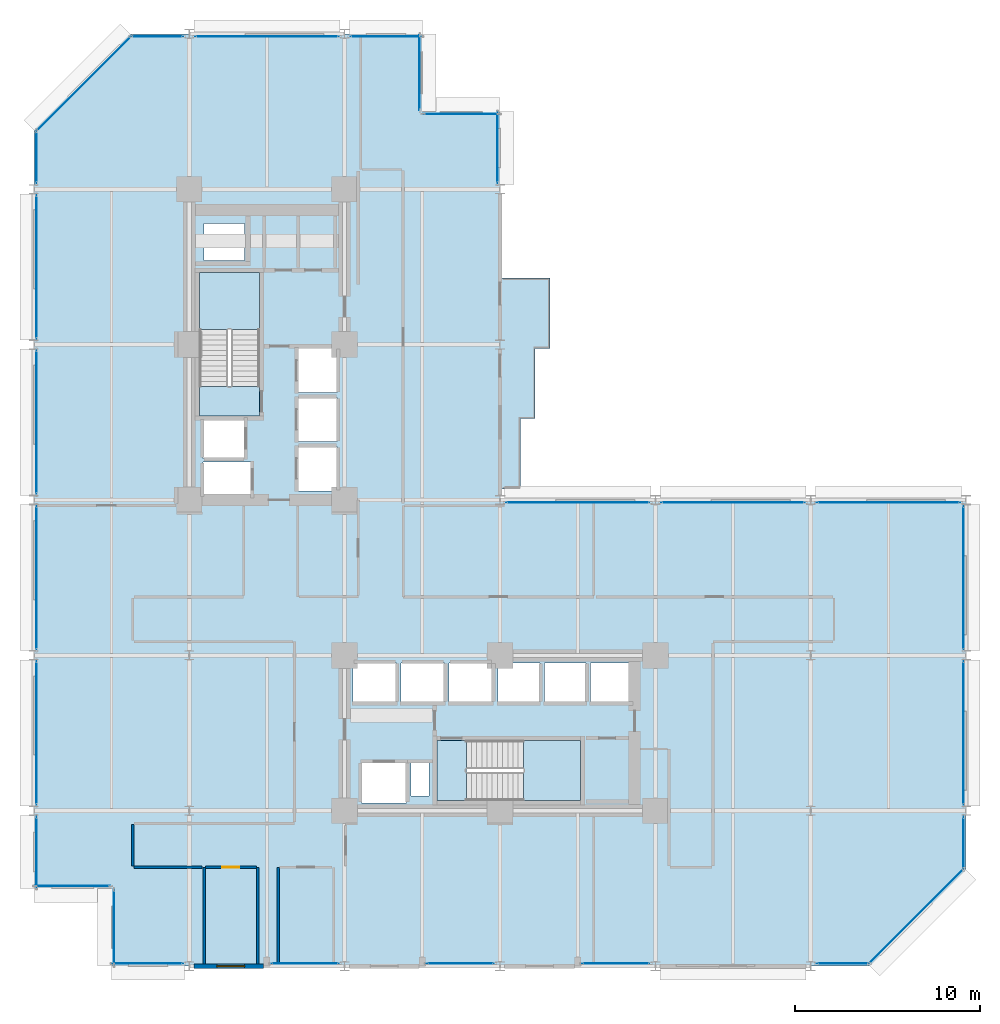
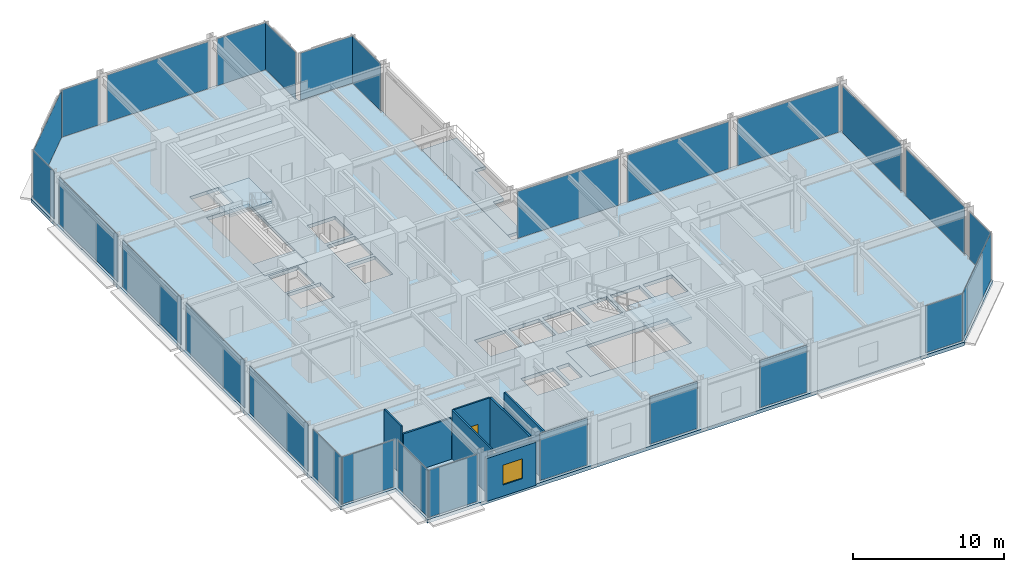
# One storey, part 19 of 25: 27 plates, 7 walls, 6 slabs, 1 door, 1 window, 2 openings, 29 elements without a shape of their own.
"""IFC4 building model written with IfcOpenShell, lengths in metres."""

from ifc_helpers import new_model, si_unit, direction, frame, frame_2d, origin, origin_2d, place, context, subcontext, project, spatial, polyline, rectangle, outline, extrude, material, layer, layer_set, type_object, element, fill, aggregate, save


model = new_model("IFC4")

# Units and contexts
model_context = context("Model", 3, precision=1e-05, world=origin(), true_north=direction((0.0, 1.0)))
body_context = subcontext(model_context, "Body", "Model", "MODEL_VIEW")
ifc_project = project(units=[si_unit("LENGTHUNIT", "METRE"), si_unit("AREAUNIT", "SQUARE_METRE"), si_unit("VOLUMEUNIT", "CUBIC_METRE"), si_unit("PLANEANGLEUNIT", "RADIAN"), si_unit("MASSUNIT", "GRAM", prefix="KILO")], contexts=[model_context])

# Site, building, storey
site_placement = place(None, origin())
site = spatial("IfcSite", under=ifc_project, at=site_placement, CompositionType="ELEMENT")
building_placement = place(site_placement, origin())
building = spatial("IfcBuilding", under=site, at=building_placement, Name="Nerrivon Quay Data Exchange", CompositionType="ELEMENT")
storey_placement = place(building_placement, frame((0.0, 0.0, 41.60009765625)))
storey = spatial("IfcBuildingStorey", under=building, at=storey_placement, Name="L09", CompositionType="ELEMENT", Elevation=41.60009765625)

# Curtain wall, plate
ifc_material_1 = material(Name="Anodised aluminium 6063-T6", Category="aluminium")
ifc_layer_1 = layer(ifc_material_1, 0.219970703125)
ifc_layer_set_1 = layer_set([ifc_layer_1], Name="Anodised aluminium 6063-T6")
curtain_wall_type = type_object("IfcCurtainWallType", Name="CW-SYS-01", PredefinedType="NOTDEFINED", material=ifc_layer_set_1)
curtain_wall_1_placement = place(storey_placement, origin())
curtain_wall_1 = element("IfcCurtainWall", 1, at=curtain_wall_1_placement, inside=storey, type_object=curtain_wall_type, Name="L09 Unitised Curtain Wall 1", PredefinedType="NOTDEFINED")
ifc_material_2 = material(Name="Double-glazed low-E solar control glass", Category="glass")
ifc_layer_2 = layer(ifc_material_2, 0.028076171875)
ifc_layer_set_2 = layer_set([ifc_layer_2], Name="Double-glazed low-E solar control glass")
plate_type = type_object("IfcPlateType", Name="CWP-GLZ-28", PredefinedType="CURTAIN_PANEL", material=ifc_layer_set_2)
plate_1_placement = place(storey_placement, frame((47.700927734375, 2.698974609375, 0.06494140625), z_axis=(0.0, 0.0, 1.0), x_axis=(-0.707106781187, -0.707106781187, 0.0)))
plate_1 = element("IfcPlate", 2, at=plate_1_placement, type_object=plate_type, Name="CW01 panel 1.1", PredefinedType="CURTAIN_PANEL", context=body_context, shape_type="SweptSolid", body=[
    extrude(rectangle(XDim=7.203857421875, YDim=0.028076171875, at=origin_2d()), origin(), (0.0, 0.0, 1.0), 3.794921875),
])
aggregate(curtain_wall_1, [plate_1])

curtain_wall_2_placement = place(storey_placement, origin())
curtain_wall_2 = element("IfcCurtainWall", 3, at=curtain_wall_2_placement, inside=storey, type_object=curtain_wall_type, Name="L09 Unitised Curtain Wall 2", PredefinedType="NOTDEFINED")
plate_2_placement = place(storey_placement, frame((43.72509765625, 0.139892578125, 0.06494140625), z_axis=(0.0, 0.0, 1.0), x_axis=(-1.0, 0.0, 0.0)))
plate_2 = element("IfcPlate", 4, at=plate_2_placement, type_object=plate_type, Name="CW01 panel 1.1", PredefinedType="CURTAIN_PANEL", context=body_context, shape_type="SweptSolid", body=[
    extrude(rectangle(XDim=2.800048828125, YDim=0.028076171875, at=origin_2d()), origin(), (0.0, 0.0, 1.0), 3.794921875),
])
aggregate(curtain_wall_2, [plate_2])

curtain_wall_3_placement = place(storey_placement, origin())
curtain_wall_3 = element("IfcCurtainWall", 5, at=curtain_wall_3_placement, inside=storey, type_object=curtain_wall_type, Name="L09 Unitised Curtain Wall 4", PredefinedType="NOTDEFINED")
plate_3_placement = place(storey_placement, frame((31.46240234375, 0.139892578125, 0.06494140625), z_axis=(0.0, 0.0, 1.0), x_axis=(-1.0, 0.0, 0.0)))
plate_3 = element("IfcPlate", 6, at=plate_3_placement, type_object=plate_type, Name="CW01 panel 1.1", PredefinedType="CURTAIN_PANEL", context=body_context, shape_type="SweptSolid", body=[
    extrude(rectangle(XDim=3.625, YDim=0.028076171875, at=origin_2d()), origin(), (0.0, 0.0, 1.0), 3.794921875),
])
aggregate(curtain_wall_3, [plate_3])

curtain_wall_4_placement = place(storey_placement, origin())
curtain_wall_4 = element("IfcCurtainWall", 7, at=curtain_wall_4_placement, inside=storey, type_object=curtain_wall_type, Name="L09 Unitised Curtain Wall 6", PredefinedType="NOTDEFINED")
plate_4_placement = place(storey_placement, frame((23.0625, 0.139892578125, 0.06494140625), z_axis=(0.0, 0.0, 1.0), x_axis=(-1.0, 0.0, 0.0)))
plate_4 = element("IfcPlate", 8, at=plate_4_placement, type_object=plate_type, Name="CW01 panel 1.1", PredefinedType="CURTAIN_PANEL", context=body_context, shape_type="SweptSolid", body=[
    extrude(rectangle(XDim=3.625, YDim=0.028076171875, at=origin_2d()), origin(), (0.0, 0.0, 1.0), 3.794921875),
])
aggregate(curtain_wall_4, [plate_4])

curtain_wall_5_placement = place(storey_placement, origin())
curtain_wall_5 = element("IfcCurtainWall", 9, at=curtain_wall_5_placement, inside=storey, type_object=curtain_wall_type, Name="L09 Unitised Curtain Wall 8", PredefinedType="NOTDEFINED")
plate_5_placement = place(storey_placement, frame((14.66259765625, 0.139892578125, 0.06494140625), z_axis=(0.0, 0.0, 1.0), x_axis=(-1.0, 0.0, 0.0)))
plate_5 = element("IfcPlate", 10, at=plate_5_placement, type_object=plate_type, Name="CW01 panel 1.1", PredefinedType="CURTAIN_PANEL", context=body_context, shape_type="SweptSolid", body=[
    extrude(rectangle(XDim=3.625, YDim=0.028076171875, at=origin_2d()), origin(), (0.0, 0.0, 1.0), 3.794921875),
])
aggregate(curtain_wall_5, [plate_5])

curtain_wall_6_placement = place(storey_placement, origin())
curtain_wall_6 = element("IfcCurtainWall", 11, at=curtain_wall_6_placement, inside=storey, type_object=curtain_wall_type, Name="L09 Unitised Curtain Wall 10", PredefinedType="NOTDEFINED")
plate_6_placement = place(storey_placement, frame((6.175048828125, 0.139892578125, 0.06494140625), z_axis=(0.0, 0.0, 1.0), x_axis=(-1.0, 0.0, 0.0)))
plate_6 = element("IfcPlate", 12, at=plate_6_placement, type_object=plate_type, Name="CW01 panel 1.1", PredefinedType="CURTAIN_PANEL", context=body_context, shape_type="SweptSolid", body=[
    extrude(rectangle(XDim=3.800048828125, YDim=0.028076171875, at=origin_2d()), origin(), (0.0, 0.0, 1.0), 3.794921875),
])
aggregate(curtain_wall_6, [plate_6])

curtain_wall_7_placement = place(storey_placement, origin())
curtain_wall_7 = element("IfcCurtainWall", 13, at=curtain_wall_7_placement, inside=storey, type_object=curtain_wall_type, Name="L09 Unitised Curtain Wall 11", PredefinedType="NOTDEFINED")
plate_7_placement = place(storey_placement, frame((4.340087890625, 2.10009765625, 0.06494140625), z_axis=(0.0, 0.0, 1.0), x_axis=(0.0, 1.0, 0.0)))
plate_7 = element("IfcPlate", 14, at=plate_7_placement, type_object=plate_type, Name="CW01 panel 1.1", PredefinedType="CURTAIN_PANEL", context=body_context, shape_type="SweptSolid", body=[
    extrude(rectangle(XDim=4.050048828125, YDim=0.028076171875, at=origin_2d()), origin(), (0.0, 0.0, 1.0), 3.794921875),
])
aggregate(curtain_wall_7, [plate_7])

curtain_wall_8_placement = place(storey_placement, origin())
curtain_wall_8 = element("IfcCurtainWall", 15, at=curtain_wall_8_placement, inside=storey, type_object=curtain_wall_type, Name="L09 Unitised Curtain Wall 12", PredefinedType="NOTDEFINED")
plate_8_placement = place(storey_placement, frame((2.10009765625, 4.340087890625, 0.06494140625), z_axis=(0.0, 0.0, 1.0), x_axis=(-1.0, 0.0, 0.0)))
plate_8 = element("IfcPlate", 16, at=plate_8_placement, type_object=plate_type, Name="CW01 panel 1.1", PredefinedType="CURTAIN_PANEL", context=body_context, shape_type="SweptSolid", body=[
    extrude(rectangle(XDim=4.050048828125, YDim=0.028076171875, at=origin_2d()), origin(), (0.0, 0.0, 1.0), 3.794921875),
])
aggregate(curtain_wall_8, [plate_8])

curtain_wall_9_placement = place(storey_placement, origin())
curtain_wall_9 = element("IfcCurtainWall", 17, at=curtain_wall_9_placement, inside=storey, type_object=curtain_wall_type, Name="L09 Unitised Curtain Wall 13", PredefinedType="NOTDEFINED")
plate_9_placement = place(storey_placement, frame((0.139892578125, 6.175048828125, 0.06494140625), z_axis=(0.0, 0.0, 1.0), x_axis=(0.0, 1.0, 0.0)))
plate_9 = element("IfcPlate", 18, at=plate_9_placement, type_object=plate_type, Name="CW01 panel 1.1", PredefinedType="CURTAIN_PANEL", context=body_context, shape_type="SweptSolid", body=[
    extrude(rectangle(XDim=3.800048828125, YDim=0.028076171875, at=origin_2d()), origin(), (0.0, 0.0, 1.0), 3.794921875),
])
aggregate(curtain_wall_9, [plate_9])

curtain_wall_10_placement = place(storey_placement, origin())
curtain_wall_10 = element("IfcCurtainWall", 19, at=curtain_wall_10_placement, inside=storey, type_object=curtain_wall_type, Name="L09 Unitised Curtain Wall 14", PredefinedType="NOTDEFINED")
plate_10_placement = place(storey_placement, frame((0.139892578125, 12.60009765625, 0.06494140625), z_axis=(0.0, 0.0, 1.0), x_axis=(0.0, 1.0, 0.0)))
plate_10 = element("IfcPlate", 20, at=plate_10_placement, type_object=plate_type, Name="CW01 panel 1.1", PredefinedType="CURTAIN_PANEL", context=body_context, shape_type="SweptSolid", body=[
    extrude(rectangle(XDim=7.75, YDim=0.028076171875, at=origin_2d()), origin(), (0.0, 0.0, 1.0), 3.794921875),
])
aggregate(curtain_wall_10, [plate_10])

curtain_wall_11_placement = place(storey_placement, origin())
curtain_wall_11 = element("IfcCurtainWall", 21, at=curtain_wall_11_placement, inside=storey, type_object=curtain_wall_type, Name="L09 Unitised Curtain Wall 15", PredefinedType="NOTDEFINED")
plate_11_placement = place(storey_placement, frame((0.139892578125, 21.0, 0.06494140625), z_axis=(0.0, 0.0, 1.0), x_axis=(0.0, 1.0, 0.0)))
plate_11 = element("IfcPlate", 22, at=plate_11_placement, type_object=plate_type, Name="CW01 panel 1.1", PredefinedType="CURTAIN_PANEL", context=body_context, shape_type="SweptSolid", body=[
    extrude(rectangle(XDim=7.75, YDim=0.028076171875, at=origin_2d()), origin(), (0.0, 0.0, 1.0), 3.794921875),
])
aggregate(curtain_wall_11, [plate_11])

curtain_wall_12_placement = place(storey_placement, origin())
curtain_wall_12 = element("IfcCurtainWall", 23, at=curtain_wall_12_placement, inside=storey, type_object=curtain_wall_type, Name="L09 Unitised Curtain Wall 16", PredefinedType="NOTDEFINED")
plate_12_placement = place(storey_placement, frame((0.139892578125, 29.39990234375, 0.06494140625), z_axis=(0.0, 0.0, 1.0), x_axis=(0.0, 1.0, 0.0)))
plate_12 = element("IfcPlate", 24, at=plate_12_placement, type_object=plate_type, Name="CW01 panel 1.1", PredefinedType="CURTAIN_PANEL", context=body_context, shape_type="SweptSolid", body=[
    extrude(rectangle(XDim=7.75, YDim=0.028076171875, at=origin_2d()), origin(), (0.0, 0.0, 1.0), 3.794921875),
])
aggregate(curtain_wall_12, [plate_12])

curtain_wall_13_placement = place(storey_placement, origin())
curtain_wall_13 = element("IfcCurtainWall", 25, at=curtain_wall_13_placement, inside=storey, type_object=curtain_wall_type, Name="L09 Unitised Curtain Wall 17", PredefinedType="NOTDEFINED")
plate_13_placement = place(storey_placement, frame((0.139892578125, 37.800048828125, 0.06494140625), z_axis=(0.0, 0.0, 1.0), x_axis=(0.0, 1.0, 0.0)))
plate_13 = element("IfcPlate", 26, at=plate_13_placement, type_object=plate_type, Name="CW01 panel 1.1", PredefinedType="CURTAIN_PANEL", context=body_context, shape_type="SweptSolid", body=[
    extrude(rectangle(XDim=7.75, YDim=0.028076171875, at=origin_2d()), origin(), (0.0, 0.0, 1.0), 3.794921875),
])
aggregate(curtain_wall_13, [plate_13])

curtain_wall_14_placement = place(storey_placement, origin())
curtain_wall_14 = element("IfcCurtainWall", 27, at=curtain_wall_14_placement, inside=storey, type_object=curtain_wall_type, Name="L09 Unitised Curtain Wall 18", PredefinedType="NOTDEFINED")
plate_14_placement = place(storey_placement, frame((0.139892578125, 43.72509765625, 0.06494140625), z_axis=(0.0, 0.0, 1.0), x_axis=(0.0, 1.0, 0.0)))
plate_14 = element("IfcPlate", 28, at=plate_14_placement, type_object=plate_type, Name="CW01 panel 1.1", PredefinedType="CURTAIN_PANEL", context=body_context, shape_type="SweptSolid", body=[
    extrude(rectangle(XDim=2.800048828125, YDim=0.028076171875, at=origin_2d()), origin(), (0.0, 0.0, 1.0), 3.794921875),
])
aggregate(curtain_wall_14, [plate_14])

curtain_wall_15_placement = place(storey_placement, origin())
curtain_wall_15 = element("IfcCurtainWall", 29, at=curtain_wall_15_placement, inside=storey, type_object=curtain_wall_type, Name="L09 Unitised Curtain Wall 19", PredefinedType="NOTDEFINED")
plate_15_placement = place(storey_placement, frame((2.698974609375, 47.700927734375, 0.06494140625), z_axis=(0.0, 0.0, 1.0), x_axis=(0.707106781187, 0.707106781187, 0.0)))
plate_15 = element("IfcPlate", 30, at=plate_15_placement, type_object=plate_type, Name="CW01 panel 1.1", PredefinedType="CURTAIN_PANEL", context=body_context, shape_type="SweptSolid", body=[
    extrude(rectangle(XDim=7.203857421875, YDim=0.028076171875, at=origin_2d()), origin(), (0.0, 0.0, 1.0), 3.794921875),
])
aggregate(curtain_wall_15, [plate_15])

curtain_wall_16_placement = place(storey_placement, origin())
curtain_wall_16 = element("IfcCurtainWall", 31, at=curtain_wall_16_placement, inside=storey, type_object=curtain_wall_type, Name="L09 Unitised Curtain Wall 20", PredefinedType="NOTDEFINED")
plate_16_placement = place(storey_placement, frame((6.675048828125, 50.260009765625, 0.06494140625), z_axis=(0.0, 0.0, 1.0), x_axis=(1.0, 0.0, 0.0)))
plate_16 = element("IfcPlate", 32, at=plate_16_placement, type_object=plate_type, Name="CW01 panel 1.1", PredefinedType="CURTAIN_PANEL", context=body_context, shape_type="SweptSolid", body=[
    extrude(rectangle(XDim=2.800048828125, YDim=0.028076171875, at=origin_2d()), origin(), (0.0, 0.0, 1.0), 3.794921875),
])
aggregate(curtain_wall_16, [plate_16])

curtain_wall_17_placement = place(storey_placement, origin())
curtain_wall_17 = element("IfcCurtainWall", 33, at=curtain_wall_17_placement, inside=storey, type_object=curtain_wall_type, Name="L09 Unitised Curtain Wall 21", PredefinedType="NOTDEFINED")
plate_17_placement = place(storey_placement, frame((12.60009765625, 50.260009765625, 0.06494140625), z_axis=(0.0, 0.0, 1.0), x_axis=(1.0, 0.0, 0.0)))
plate_17 = element("IfcPlate", 34, at=plate_17_placement, type_object=plate_type, Name="CW01 panel 1.1", PredefinedType="CURTAIN_PANEL", context=body_context, shape_type="SweptSolid", body=[
    extrude(rectangle(XDim=7.75, YDim=0.028076171875, at=origin_2d()), origin(), (0.0, 0.0, 1.0), 3.794921875),
])
aggregate(curtain_wall_17, [plate_17])

curtain_wall_18_placement = place(storey_placement, origin())
curtain_wall_18 = element("IfcCurtainWall", 35, at=curtain_wall_18_placement, inside=storey, type_object=curtain_wall_type, Name="L09 Unitised Curtain Wall 22", PredefinedType="NOTDEFINED")
plate_18_placement = place(storey_placement, frame((19.02490234375, 50.260009765625, 0.06494140625), z_axis=(0.0, 0.0, 1.0), x_axis=(1.0, 0.0, 0.0)))
plate_18 = element("IfcPlate", 36, at=plate_18_placement, type_object=plate_type, Name="CW01 panel 1.1", PredefinedType="CURTAIN_PANEL", context=body_context, shape_type="SweptSolid", body=[
    extrude(rectangle(XDim=3.800048828125, YDim=0.028076171875, at=origin_2d()), origin(), (0.0, 0.0, 1.0), 3.794921875),
])
aggregate(curtain_wall_18, [plate_18])

curtain_wall_19_placement = place(storey_placement, origin())
curtain_wall_19 = element("IfcCurtainWall", 37, at=curtain_wall_19_placement, inside=storey, type_object=curtain_wall_type, Name="L09 Unitised Curtain Wall 23", PredefinedType="NOTDEFINED")
plate_19_placement = place(storey_placement, frame((20.860107421875, 48.300048828125, 0.06494140625), z_axis=(0.0, 0.0, 1.0), x_axis=(0.0, -1.0, 0.0)))
plate_19 = element("IfcPlate", 38, at=plate_19_placement, type_object=plate_type, Name="CW01 panel 1.1", PredefinedType="CURTAIN_PANEL", context=body_context, shape_type="SweptSolid", body=[
    extrude(rectangle(XDim=4.050048828125, YDim=0.028076171875, at=origin_2d()), origin(), (0.0, 0.0, 1.0), 3.794921875),
])
aggregate(curtain_wall_19, [plate_19])

curtain_wall_20_placement = place(storey_placement, origin())
curtain_wall_20 = element("IfcCurtainWall", 39, at=curtain_wall_20_placement, inside=storey, type_object=curtain_wall_type, Name="L09 Unitised Curtain Wall 24", PredefinedType="NOTDEFINED")
plate_20_placement = place(storey_placement, frame((23.10009765625, 46.06005859375, 0.06494140625), z_axis=(0.0, 0.0, 1.0), x_axis=(1.0, 0.0, 0.0)))
plate_20 = element("IfcPlate", 40, at=plate_20_placement, type_object=plate_type, Name="CW01 panel 1.1", PredefinedType="CURTAIN_PANEL", context=body_context, shape_type="SweptSolid", body=[
    extrude(rectangle(XDim=4.050048828125, YDim=0.028076171875, at=origin_2d()), origin(), (0.0, 0.0, 1.0), 3.794921875),
])
aggregate(curtain_wall_20, [plate_20])

curtain_wall_21_placement = place(storey_placement, origin())
curtain_wall_21 = element("IfcCurtainWall", 41, at=curtain_wall_21_placement, inside=storey, type_object=curtain_wall_type, Name="L09 Unitised Curtain Wall 25", PredefinedType="NOTDEFINED")
plate_21_placement = place(storey_placement, frame((25.06005859375, 44.22509765625, 0.06494140625), z_axis=(0.0, 0.0, 1.0), x_axis=(0.0, -1.0, 0.0)))
plate_21 = element("IfcPlate", 42, at=plate_21_placement, type_object=plate_type, Name="CW01 panel 1.1", PredefinedType="CURTAIN_PANEL", context=body_context, shape_type="SweptSolid", body=[
    extrude(rectangle(XDim=3.800048828125, YDim=0.028076171875, at=origin_2d()), origin(), (0.0, 0.0, 1.0), 3.794921875),
])
aggregate(curtain_wall_21, [plate_21])

curtain_wall_22_placement = place(storey_placement, origin())
curtain_wall_22 = element("IfcCurtainWall", 43, at=curtain_wall_22_placement, inside=storey, type_object=curtain_wall_type, Name="L09 Unitised Curtain Wall 28", PredefinedType="NOTDEFINED")
plate_22_placement = place(storey_placement, frame((29.39990234375, 25.06005859375, 0.06494140625), z_axis=(0.0, 0.0, 1.0), x_axis=(1.0, 0.0, 0.0)))
plate_22 = element("IfcPlate", 44, at=plate_22_placement, type_object=plate_type, Name="CW01 panel 1.1", PredefinedType="CURTAIN_PANEL", context=body_context, shape_type="SweptSolid", body=[
    extrude(rectangle(XDim=7.75, YDim=0.028076171875, at=origin_2d()), origin(), (0.0, 0.0, 1.0), 3.794921875),
])
aggregate(curtain_wall_22, [plate_22])

curtain_wall_23_placement = place(storey_placement, origin())
curtain_wall_23 = element("IfcCurtainWall", 45, at=curtain_wall_23_placement, inside=storey, type_object=curtain_wall_type, Name="L09 Unitised Curtain Wall 29", PredefinedType="NOTDEFINED")
plate_23_placement = place(storey_placement, frame((37.800048828125, 25.06005859375, 0.06494140625), z_axis=(0.0, 0.0, 1.0), x_axis=(1.0, 0.0, 0.0)))
plate_23 = element("IfcPlate", 46, at=plate_23_placement, type_object=plate_type, Name="CW01 panel 1.1", PredefinedType="CURTAIN_PANEL", context=body_context, shape_type="SweptSolid", body=[
    extrude(rectangle(XDim=7.75, YDim=0.028076171875, at=origin_2d()), origin(), (0.0, 0.0, 1.0), 3.794921875),
])
aggregate(curtain_wall_23, [plate_23])

curtain_wall_24_placement = place(storey_placement, origin())
curtain_wall_24 = element("IfcCurtainWall", 47, at=curtain_wall_24_placement, inside=storey, type_object=curtain_wall_type, Name="L09 Unitised Curtain Wall 30", PredefinedType="NOTDEFINED")
plate_24_placement = place(storey_placement, frame((46.199951171875, 25.06005859375, 0.06494140625), z_axis=(0.0, 0.0, 1.0), x_axis=(1.0, 0.0, 0.0)))
plate_24 = element("IfcPlate", 48, at=plate_24_placement, type_object=plate_type, Name="CW01 panel 1.1", PredefinedType="CURTAIN_PANEL", context=body_context, shape_type="SweptSolid", body=[
    extrude(rectangle(XDim=7.75, YDim=0.028076171875, at=origin_2d()), origin(), (0.0, 0.0, 1.0), 3.794921875),
])
aggregate(curtain_wall_24, [plate_24])

curtain_wall_25_placement = place(storey_placement, origin())
curtain_wall_25 = element("IfcCurtainWall", 49, at=curtain_wall_25_placement, inside=storey, type_object=curtain_wall_type, Name="L09 Unitised Curtain Wall 31", PredefinedType="NOTDEFINED")
plate_25_placement = place(storey_placement, frame((50.260009765625, 21.0, 0.06494140625), z_axis=(0.0, 0.0, 1.0), x_axis=(0.0, -1.0, 0.0)))
plate_25 = element("IfcPlate", 50, at=plate_25_placement, type_object=plate_type, Name="CW01 panel 1.1", PredefinedType="CURTAIN_PANEL", context=body_context, shape_type="SweptSolid", body=[
    extrude(rectangle(XDim=7.75, YDim=0.028076171875, at=origin_2d()), origin(), (0.0, 0.0, 1.0), 3.794921875),
])
aggregate(curtain_wall_25, [plate_25])

curtain_wall_26_placement = place(storey_placement, origin())
curtain_wall_26 = element("IfcCurtainWall", 51, at=curtain_wall_26_placement, inside=storey, type_object=curtain_wall_type, Name="L09 Unitised Curtain Wall 32", PredefinedType="NOTDEFINED")
plate_26_placement = place(storey_placement, frame((50.260009765625, 12.60009765625, 0.06494140625), z_axis=(0.0, 0.0, 1.0), x_axis=(0.0, -1.0, 0.0)))
plate_26 = element("IfcPlate", 52, at=plate_26_placement, type_object=plate_type, Name="CW01 panel 1.1", PredefinedType="CURTAIN_PANEL", context=body_context, shape_type="SweptSolid", body=[
    extrude(rectangle(XDim=7.75, YDim=0.028076171875, at=origin_2d()), origin(), (0.0, 0.0, 1.0), 3.794921875),
])
aggregate(curtain_wall_26, [plate_26])

curtain_wall_27_placement = place(storey_placement, origin())
curtain_wall_27 = element("IfcCurtainWall", 53, at=curtain_wall_27_placement, inside=storey, type_object=curtain_wall_type, Name="L09 Unitised Curtain Wall 33", PredefinedType="NOTDEFINED")
plate_27_placement = place(storey_placement, frame((50.260009765625, 6.675048828125, 0.06494140625), z_axis=(0.0, 0.0, 1.0), x_axis=(0.0, -1.0, 0.0)))
plate_27 = element("IfcPlate", 54, at=plate_27_placement, type_object=plate_type, Name="CW01 panel 1.1", PredefinedType="CURTAIN_PANEL", context=body_context, shape_type="SweptSolid", body=[
    extrude(rectangle(XDim=2.800048828125, YDim=0.028076171875, at=origin_2d()), origin(), (0.0, 0.0, 1.0), 3.794921875),
])
aggregate(curtain_wall_27, [plate_27])

# Slab
ifc_material_3 = material(Name="Precast white architectural concrete N50 (50 MPa)", Category="concrete")
ifc_layer_3 = layer(ifc_material_3, 0.25)
ifc_layer_set_3 = layer_set([ifc_layer_3], Name="Precast white architectural concrete N50 (50 MPa)")
slab_type_1 = type_object("IfcSlabType", Name="SLB-BAL-250", PredefinedType="FLOOR", material=ifc_layer_set_3)
slab_1_placement = place(storey_placement, frame((0.0, 0.0, -0.25)))
element("IfcSlab", 55, at=slab_1_placement, inside=storey, type_object=slab_type_1, Name="L09 Waterfront Subtropical Verandah", PredefinedType="FLOOR", context=body_context, shape_type="SweptSolid", body=[
    extrude(outline(polyline([(26.300048828125, 29.60009765625), (27.10009765625, 29.60009765625), (27.10009765625, 33.39990234375), (27.89990234375, 33.39990234375), (27.89990234375, 37.199951171875), (25.199951171875, 37.199951171875), (25.199951171875, 33.39990234375), (25.199951171875, 29.60009765625), (25.199951171875, 25.800048828125), (26.300048828125, 25.800048828125), (26.300048828125, 29.60009765625)])), origin(), (0.0, 0.0, 1.0), 0.25),
])

# Stair, slab
ifc_material_4 = material(Name="Concrete N50 (50 MPa)", Category="concrete")
stair_type = type_object("IfcStairType", Name="STAIR-DOG-42", PredefinedType="HALF_TURN_STAIR", material=ifc_material_4)
stair_1_placement = place(storey_placement, origin())
stair_1 = element("IfcStair", 56, at=stair_1_placement, inside=storey, type_object=stair_type, Name="L09 West Core Fire Stair ST01", PredefinedType="HALF_TURN_STAIR")
ifc_layer_4 = layer(ifc_material_4, 0.199951171875)
ifc_layer_set_4 = layer_set([ifc_layer_4], Name="Concrete N50 (50 MPa)")
slab_type_2 = type_object("IfcSlabType", Name="SLB-LAND-200", PredefinedType="LANDING", material=ifc_layer_set_4)
slab_2_placement = place(storey_placement, frame((0.0, 0.0, 1.89990234375)))
slab_2 = element("IfcSlab", 57, at=slab_2_placement, type_object=slab_type_2, Name="ST01 landing 1", PredefinedType="LANDING", context=body_context, shape_type="SweptSolid", body=[
    extrude(outline(polyline([(12.199951171875, 34.409912109375), (12.199951171875, 37.5), (8.949951171875, 37.5), (8.949951171875, 34.409912109375), (12.199951171875, 34.409912109375)])), origin(), (0.0, 0.0, 1.0), 0.199951171875),
])
aggregate(stair_1, [slab_2])

# Slab
slab_3_placement = place(storey_placement, frame((0.0, 0.0, -0.2001953125)))
element("IfcSlab", 58, at=slab_3_placement, inside=storey, type_object=slab_type_2, Name="L09 ST01 floor landing", PredefinedType="LANDING", context=body_context, shape_type="SweptSolid", body=[
    extrude(outline(polyline([(12.199951171875, 29.75), (12.199951171875, 31.330078125), (8.949951171875, 31.330078125), (8.949951171875, 29.75), (12.199951171875, 29.75)])), origin(), (0.0, 0.0, 1.0), 0.2001953125),
])

# Stair, slab
stair_2_placement = place(storey_placement, origin())
stair_2 = element("IfcStair", 59, at=stair_2_placement, inside=storey, type_object=stair_type, Name="L09 East Core Fire Stair ST02", PredefinedType="HALF_TURN_STAIR")
slab_4_placement = place(storey_placement, frame((0.0, 0.0, 1.89990234375)))
slab_4 = element("IfcSlab", 60, at=slab_4_placement, type_object=slab_type_2, Name="ST02 landing 1", PredefinedType="LANDING", context=body_context, shape_type="SweptSolid", body=[
    extrude(outline(polyline([(26.4599609375, 8.949951171875), (29.550048828125, 8.949951171875), (29.550048828125, 12.199951171875), (26.4599609375, 12.199951171875), (26.4599609375, 8.949951171875)])), origin(), (0.0, 0.0, 1.0), 0.199951171875),
])
aggregate(stair_2, [slab_4])

# Slabs
slab_5_placement = place(storey_placement, frame((0.0, 0.0, -0.2001953125)))
element("IfcSlab", 61, at=slab_5_placement, inside=storey, type_object=slab_type_2, Name="L09 ST02 floor landing", PredefinedType="LANDING", context=body_context, shape_type="SweptSolid", body=[
    extrude(outline(polyline([(21.800048828125, 8.949951171875), (23.3798828125, 8.949951171875), (23.3798828125, 12.199951171875), (21.800048828125, 12.199951171875), (21.800048828125, 8.949951171875)])), origin(), (0.0, 0.0, 1.0), 0.2001953125),
])
ifc_layer_5 = layer(ifc_material_4, 0.27490234375)
ifc_layer_set_5 = layer_set([ifc_layer_5], Name="Concrete N50 (50 MPa)")
slab_type_3 = type_object("IfcSlabType", Name="SLB-TOW-275", PredefinedType="FLOOR", material=ifc_layer_set_5)
slab_6_placement = place(storey_placement, frame((0.0, 0.0, -0.275146484375)))
element("IfcSlab", 62, at=slab_6_placement, inside=storey, type_object=slab_type_3, Name="L09 Primary Structural Slab", PredefinedType="FLOOR", context=body_context, shape_type="SweptSolid", body=[
    extrude(outline(polyline([(50.39990234375, 25.199951171875), (25.199951171875, 25.199951171875), (25.199951171875, 46.199951171875), (21.0, 46.199951171875), (21.0, 50.39990234375), (5.199951171875, 50.39990234375), (0.0, 45.199951171875), (0.0, 4.199951171875), (4.199951171875, 4.199951171875), (4.199951171875, 0.0), (45.199951171875, 0.0), (50.39990234375, 5.199951171875), (50.39990234375, 25.199951171875)]), holes=[polyline([(8.949951171875, 29.75), (8.949951171875, 37.5), (12.199951171875, 37.5), (12.199951171875, 29.75), (8.949951171875, 29.75)]), polyline([(21.800048828125, 12.199951171875), (29.550048828125, 12.199951171875), (29.550048828125, 8.949951171875), (21.800048828125, 8.949951171875), (21.800048828125, 12.199951171875)]), polyline([(30.10009765625, 16.39990234375), (32.35009765625, 16.39990234375), (32.35009765625, 14.25), (30.10009765625, 14.25), (30.10009765625, 16.39990234375)]), polyline([(27.60009765625, 16.39990234375), (29.85009765625, 16.39990234375), (29.85009765625, 14.25), (27.60009765625, 14.25), (27.60009765625, 16.39990234375)]), polyline([(25.10009765625, 16.39990234375), (27.35009765625, 16.39990234375), (27.35009765625, 14.25), (25.10009765625, 14.25), (25.10009765625, 16.39990234375)]), polyline([(22.449951171875, 16.39990234375), (24.800048828125, 16.39990234375), (24.800048828125, 14.25), (22.449951171875, 14.25), (22.449951171875, 16.39990234375)]), polyline([(19.85009765625, 16.39990234375), (22.199951171875, 16.39990234375), (22.199951171875, 14.25), (19.85009765625, 14.25), (19.85009765625, 16.39990234375)]), polyline([(20.39990234375, 11.0), (21.35009765625, 11.0), (21.35009765625, 9.199951171875), (20.39990234375, 9.199951171875), (20.39990234375, 11.0)]), polyline([(17.699951171875, 8.830078125), (17.699951171875, 11.030029296875), (20.14990234375, 11.030029296875), (20.14990234375, 8.830078125), (17.699951171875, 8.830078125)]), polyline([(17.25, 14.25), (17.25, 16.39990234375), (19.60009765625, 16.39990234375), (19.60009765625, 14.25), (17.25, 14.25)]), polyline([(14.25, 28.10009765625), (16.39990234375, 28.10009765625), (16.39990234375, 25.699951171875), (14.25, 25.699951171875), (14.25, 28.10009765625)]), polyline([(14.25, 30.75), (16.39990234375, 30.75), (16.39990234375, 28.35009765625), (14.25, 28.35009765625), (14.25, 30.75)]), polyline([(14.25, 33.39990234375), (16.39990234375, 33.39990234375), (16.39990234375, 31.0), (14.25, 31.0), (14.25, 33.39990234375)]), polyline([(9.14990234375, 27.25), (11.75, 27.25), (11.75, 25.35009765625), (9.14990234375, 25.35009765625), (9.14990234375, 27.25)]), polyline([(9.14990234375, 29.60009765625), (11.39990234375, 29.60009765625), (11.39990234375, 27.449951171875), (9.14990234375, 27.449951171875), (9.14990234375, 29.60009765625)]), polyline([(9.199951171875, 40.14990234375), (11.39990234375, 40.14990234375), (11.39990234375, 38.14990234375), (9.199951171875, 38.14990234375), (9.199951171875, 40.14990234375)])]), origin(), (0.0, 0.0, 1.0), 0.275146484375),
])

# Wall, opening, window
ifc_material_5 = material(Name="Architectural terracotta precast concrete N50 (50 MPa)", Category="masonry")
ifc_layer_6 = layer(ifc_material_5, 0.239990234375)
ifc_layer_set_6 = layer_set([ifc_layer_6], Name="Architectural terracotta precast concrete N50 (50 MPa)")
wall_type_1 = type_object("IfcWallType", Name="EW-PREC-240", PredefinedType="STANDARD", material=ifc_layer_set_6)
wall_1_placement = place(storey_placement, frame((12.425048828125, 0.0, 0.0), z_axis=(0.0, 0.0, 1.0), x_axis=(-1.0, 0.0, 0.0)))
wall_1 = element("IfcWall", 63, at=wall_1_placement, inside=storey, type_object=wall_type_1, Name="L09 Podium Precast Spandrel Wall 9", PredefinedType="STANDARD", context=body_context, shape_type="SweptSolid", body=[
    extrude(rectangle(XDim=3.775146484375, YDim=0.239990234375, at=frame_2d((1.8876953125, 0.0))), origin(), (0.0, 0.0, 1.0), 3.470947265625),
])
opening_1_placement = place(wall_1_placement, frame((1.02490234375, 0.0, 0.89990234375)))
opening_1 = element("IfcOpeningElement", 64, at=opening_1_placement, cuts=wall_1, Name="Opening WN4", PredefinedType="OPENING", context=body_context, shape_type="SweptSolid", body=[
    extrude(rectangle(XDim=1.5, YDim=1.60009765625, at=frame_2d((0.75, 0.800048828125))), frame((0.0, 0.1298828125, 0.0), z_axis=(0.0, -1.0, 0.0), x_axis=(1.0, 0.0, 0.0)), (0.0, 0.0, 1.0), 0.260009765625),
])
window_type = type_object("IfcWindowType", Name="WIN-W4-1500x1600", PartitioningType="SINGLE_PANEL", PredefinedType="WINDOW", material=ifc_material_2)
window_placement = place(opening_1_placement, origin())
window = element("IfcWindow", 65, at=window_placement, inside=storey, type_object=window_type, Name="L09 Solar Facade Window 9", OverallHeight=1.60009765625, OverallWidth=1.5, PartitioningType="SINGLE_PANEL", PredefinedType="WINDOW", context=body_context, shape_type="SweptSolid", body=[
    extrude(rectangle(XDim=1.5, YDim=1.60009765625, at=frame_2d((0.75, 0.800048828125))), frame((0.0, 0.030029296875, 0.0), z_axis=(0.0, -1.0, 0.0), x_axis=(1.0, 0.0, 0.0)), (0.0, 0.0, 1.0), 0.06005859375),
])
fill(opening_1, window)

# Wall, opening, door
ifc_material_6 = material(Name="Gypsum plasterboard on cold-formed framing", Category="gypsum")
ifc_layer_7 = layer(ifc_material_6, 0.1201171875)
ifc_layer_set_7 = layer_set([ifc_layer_7], Name="Gypsum plasterboard on cold-formed framing")
wall_type_2 = type_object("IfcWallType", Name="WALL-PT-120", PredefinedType="PARTITIONING", material=ifc_layer_set_7)
wall_2_placement = place(storey_placement, frame((12.028564453125, 5.340087890625, 0.0), z_axis=(0.0, 0.0, 1.0), x_axis=(-1.0, 0.0, 0.0)))
wall_2 = element("IfcWall", 66, at=wall_2_placement, inside=storey, type_object=wall_type_2, Name="L09 Partition Public Washrooms", PredefinedType="PARTITIONING", context=body_context, shape_type="SweptSolid", body=[
    extrude(rectangle(XDim=2.757080078125, YDim=0.1201171875, at=frame_2d((1.37841796875, 0.0))), origin(), (0.0, 0.0, 1.0), 3.9248046875),
])
opening_2_placement = place(wall_2_placement, frame((0.91845703125, 0.0, 0.0)))
opening_2 = element("IfcOpeningElement", 67, at=opening_2_placement, cuts=wall_2, Name="Opening D-WC", PredefinedType="OPENING", context=body_context, shape_type="SweptSolid", body=[
    extrude(rectangle(XDim=0.919921875, YDim=2.10009765625, at=frame_2d((0.4599609375, 1.050048828125))), frame((0.0, 0.070068359375, 0.0), z_axis=(0.0, -1.0, 0.0), x_axis=(1.0, 0.0, 0.0)), (0.0, 0.0, 1.0), 0.14013671875),
])
ifc_material_7 = material(Name="Engineered hardwood timber", Category="wood")
door_type = type_object("IfcDoorType", Name="DR-WC-920", OperationType="NOTDEFINED", PredefinedType="DOOR", material=ifc_material_7)
door_placement = place(opening_2_placement, origin())
door = element("IfcDoor", 68, at=door_placement, inside=storey, type_object=door_type, Name="L09 Door Public Washrooms", OperationType="SINGLE_SWING_LEFT", OverallHeight=2.10009765625, OverallWidth=0.919921875, PredefinedType="DOOR", context=body_context, shape_type="SweptSolid", body=[
    extrude(rectangle(XDim=0.919921875, YDim=2.10009765625, at=frame_2d((0.4599609375, 1.050048828125))), frame((0.0, 0.02490234375, 0.0), z_axis=(0.0, -1.0, 0.0), x_axis=(1.0, 0.0, 0.0)), (0.0, 0.0, 1.0), 0.050048828125),
])
fill(opening_2, door)

# Walls
wall_3_placement = place(storey_placement, frame((5.340087890625, 5.39990234375, 0.0), z_axis=(0.0, 0.0, 1.0), x_axis=(0.0, 1.0, 0.0)))
element("IfcWall", 69, at=wall_3_placement, inside=storey, type_object=wall_type_2, Name="L09 Partition Cloud Compute Workspace 1", PredefinedType="PARTITIONING", context=body_context, shape_type="SweptSolid", body=[
    extrude(rectangle(XDim=2.25, YDim=0.1201171875, at=frame_2d((1.125, 0.0))), origin(), (0.0, 0.0, 1.0), 3.9248046875),
])
ifc_layer_8 = layer(ifc_material_6, 0.135009765625)
ifc_layer_set_8 = layer_set([ifc_layer_8], Name="Gypsum plasterboard on cold-formed framing")
wall_type_3 = type_object("IfcWallType", Name="WALL-PT-135", PredefinedType="PARTITIONING", material=ifc_layer_set_8)
wall_4_placement = place(storey_placement, frame((13.199951171875, 5.340087890625, 0.0), z_axis=(0.0, 0.0, 1.0), x_axis=(0.0, -1.0, 0.0)))
element("IfcWall", 70, at=wall_4_placement, inside=storey, type_object=wall_type_3, Name="L09 Partition Accessible Toilet", PredefinedType="PARTITIONING", context=body_context, shape_type="SweptSolid", body=[
    extrude(rectangle(XDim=5.171142578125, YDim=0.135009765625, at=frame_2d((2.58544921875, 0.0))), origin(), (0.0, 0.0, 1.0), 3.9248046875),
])
for number, where, z_axis, x_axis, name in (
    (71, (9.199951171875, 5.340087890625, 0.0), (0.0, 0.0, 1.0), (0.0, -1.0, 0.0), "L09 Partition Public Washrooms"),
    (72, (12.10009765625, 0.1240234375, 0.0), (0.0, 0.0, 1.0), (0.0, 1.0, 0.0), "L09 Partition Public Washrooms"),
):
    element("IfcWall", number, at=place(storey_placement, frame(where, z_axis=z_axis, x_axis=x_axis)), inside=storey, type_object=wall_type_3, Name=name, PredefinedType="PARTITIONING", context=body_context, shape_type="SweptSolid", body=[
        extrude(rectangle(XDim=5.216064453125, YDim=0.135009765625, at=frame_2d((2.60791015625, 0.0))), origin(), (0.0, 0.0, 1.0), 3.9248046875),
    ])
wall_5_placement = place(storey_placement, frame((9.080078125, 5.340087890625, 0.0), z_axis=(0.0, 0.0, 1.0), x_axis=(-1.0, 0.0, 0.0)))
element("IfcWall", 73, at=wall_5_placement, inside=storey, type_object=wall_type_3, Name="L09 Partition Cloud Compute Workspace 1", PredefinedType="PARTITIONING", context=body_context, shape_type="SweptSolid", body=[
    extrude(rectangle(XDim=3.68017578125, YDim=0.135009765625, at=frame_2d((1.840087890625, 0.0))), origin(), (0.0, 0.0, 1.0), 3.322998046875),
])

save(model, "model.ifc")
